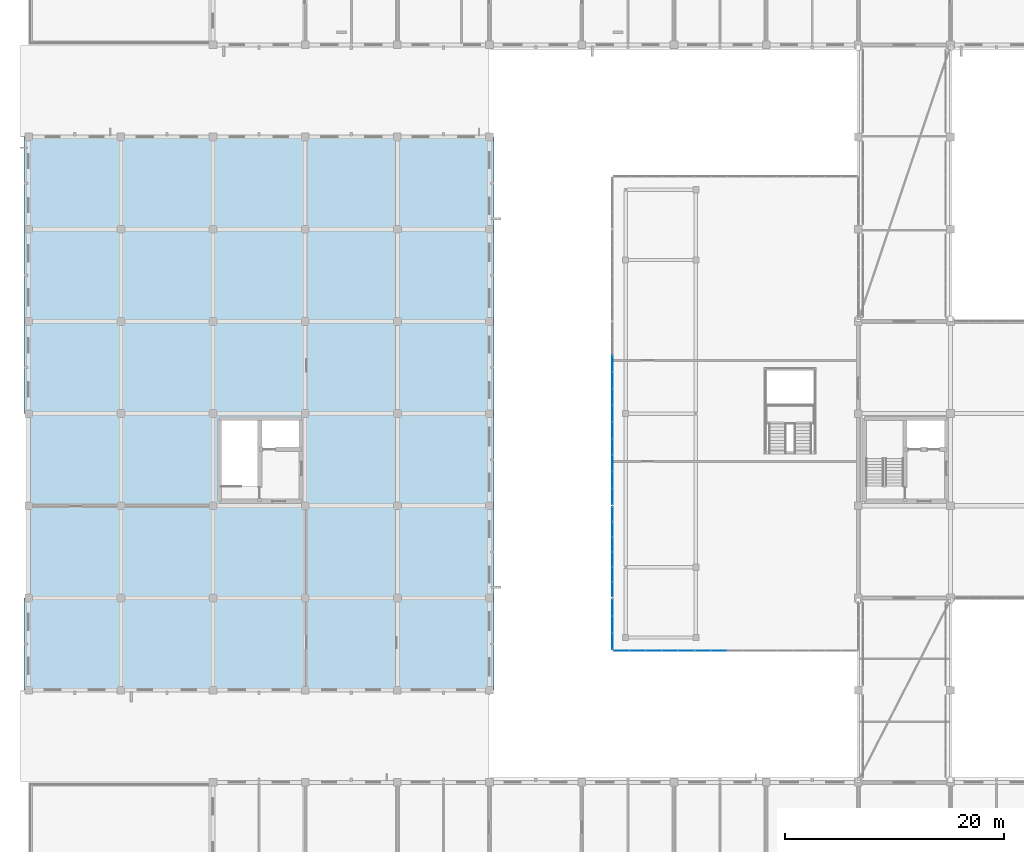
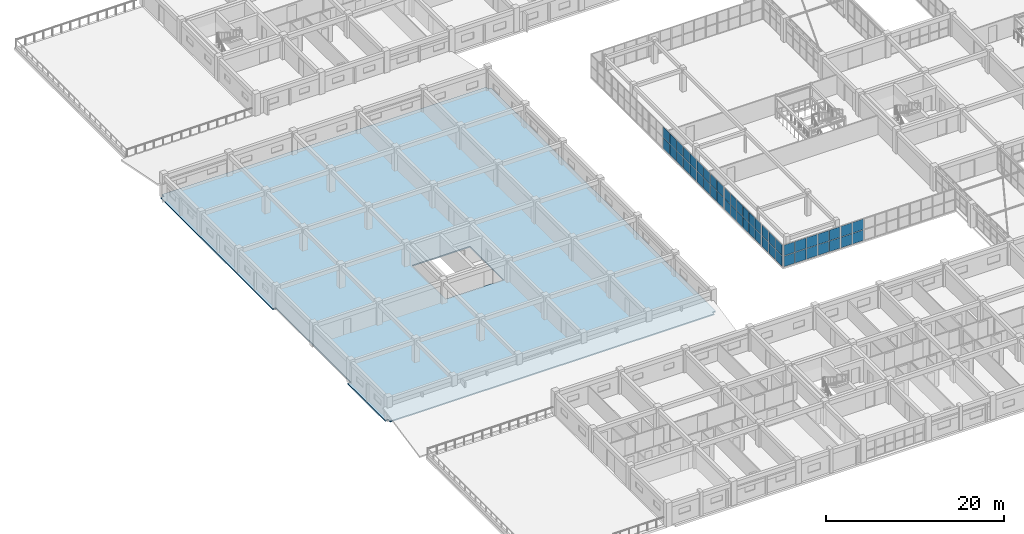
# One storey, part 99 of 148: 50 plates, 1 slab, 5 elements without a shape of their own.
"""IFC4 building model written with IfcOpenShell, lengths in metres."""

from ifc_helpers import new_model, si_unit, direction, frame, origin, origin_2d, place, context, subcontext, project, spatial, polyline, rectangle, outline, extrude, material, layer, layer_set, type_object, element, aggregate, save


model = new_model("IFC4")

# Units and contexts
model_context = context("Model", 3, precision=1e-05, world=origin(), true_north=direction((0.0, 1.0)))
body_context = subcontext(model_context, "Body", "Model", "MODEL_VIEW")
ifc_project = project(units=[si_unit("LENGTHUNIT", "METRE"), si_unit("AREAUNIT", "SQUARE_METRE"), si_unit("VOLUMEUNIT", "CUBIC_METRE"), si_unit("PLANEANGLEUNIT", "RADIAN"), si_unit("MASSUNIT", "GRAM", prefix="KILO")], contexts=[model_context])

# Site, building, storey
site_placement = place(None, origin())
site = spatial("IfcSite", under=ifc_project, at=site_placement, CompositionType="ELEMENT")
building_placement = place(site_placement, origin())
building = spatial("IfcBuilding", under=site, at=building_placement, Name="Trelvath General Hospital", CompositionType="ELEMENT")
storey_placement = place(building_placement, frame((0.0, 0.0, 12.89990234375)))
storey = spatial("IfcBuildingStorey", under=building, at=storey_placement, Name="L03", CompositionType="ELEMENT", Elevation=12.89990234375)

# Curtain wall, plates
ifc_material_1 = material(Name="Anodised aluminium and low-E glass", Category="aluminium")
ifc_layer_1 = layer(ifc_material_1, 0.14990234375)
ifc_layer_set_1 = layer_set([ifc_layer_1], Name="Anodised aluminium and low-E glass")
curtain_wall_type_1 = type_object("IfcCurtainWallType", Name="CW CrystalCube 737 306 15", PredefinedType="USERDEFINED", material=ifc_layer_set_1)
curtain_wall_1_placement = place(storey_placement, origin())
curtain_wall_1 = element("IfcCurtainWall", 1, at=curtain_wall_1_placement, inside=storey, type_object=curtain_wall_type_1, Name="Crystal Cube Curtain Wall CUBE-W-T1 S1 L03", ObjectType="Unitised Glazed Curtain Wall", PredefinedType="USERDEFINED")
ifc_material_2 = material(Name="Low-E laminated glass", Category="glass")
ifc_layer_2 = layer(ifc_material_2, 0.028076171875)
ifc_layer_set_2 = layer_set([ifc_layer_2], Name="Low-E laminated glass")
plate_type = type_object("IfcPlateType", Name="CurtainPanel Glass28", PredefinedType="CURTAIN_PANEL", material=ifc_layer_set_2)
plate_1_placement = place(storey_placement, frame((59.89501953125, 37.199951171875, 0.06005859375), z_axis=(0.0, 0.0, 1.0), x_axis=(-1.0, 0.0, 0.0)))
plate_1 = element("IfcPlate", 2, at=plate_1_placement, type_object=plate_type, Name="CW-230 panel 1.1", PredefinedType="CURTAIN_PANEL", context=body_context, shape_type="SweptSolid", body=[
    extrude(rectangle(XDim=1.38330078125, YDim=0.028076171875, at=origin_2d()), origin(), (0.0, 0.0, 1.0), 1.43994140625),
])
plate_2_placement = place(storey_placement, frame((59.89501953125, 37.199951171875, 1.56005859375), z_axis=(0.0, 0.0, 1.0), x_axis=(-1.0, 0.0, 0.0)))
plate_2 = element("IfcPlate", 3, at=plate_2_placement, type_object=plate_type, Name="CW-230 panel 1.2", PredefinedType="CURTAIN_PANEL", context=body_context, shape_type="SweptSolid", body=[
    extrude(rectangle(XDim=1.38330078125, YDim=0.028076171875, at=origin_2d()), origin(), (0.0, 0.0, 1.0), 1.43994140625),
])
plate_3_placement = place(storey_placement, frame((58.436767578125, 37.199951171875, 0.06005859375), z_axis=(0.0, 0.0, 1.0), x_axis=(-1.0, 0.0, 0.0)))
plate_3 = element("IfcPlate", 4, at=plate_3_placement, type_object=plate_type, Name="CW-230 panel 2.1", PredefinedType="CURTAIN_PANEL", context=body_context, shape_type="SweptSolid", body=[
    extrude(rectangle(XDim=1.413330078125, YDim=0.028076171875, at=origin_2d()), origin(), (0.0, 0.0, 1.0), 1.43994140625),
])
plate_4_placement = place(storey_placement, frame((58.436767578125, 37.199951171875, 1.56005859375), z_axis=(0.0, 0.0, 1.0), x_axis=(-1.0, 0.0, 0.0)))
plate_4 = element("IfcPlate", 5, at=plate_4_placement, type_object=plate_type, Name="CW-230 panel 2.2", PredefinedType="CURTAIN_PANEL", context=body_context, shape_type="SweptSolid", body=[
    extrude(rectangle(XDim=1.413330078125, YDim=0.028076171875, at=origin_2d()), origin(), (0.0, 0.0, 1.0), 1.43994140625),
])
plate_5_placement = place(storey_placement, frame((56.96337890625, 37.199951171875, 0.06005859375), z_axis=(0.0, 0.0, 1.0), x_axis=(-1.0, 0.0, 0.0)))
plate_5 = element("IfcPlate", 6, at=plate_5_placement, type_object=plate_type, Name="CW-230 panel 3.1", PredefinedType="CURTAIN_PANEL", context=body_context, shape_type="SweptSolid", body=[
    extrude(rectangle(XDim=1.413330078125, YDim=0.028076171875, at=origin_2d()), origin(), (0.0, 0.0, 1.0), 1.43994140625),
])
plate_6_placement = place(storey_placement, frame((56.96337890625, 37.199951171875, 1.56005859375), z_axis=(0.0, 0.0, 1.0), x_axis=(-1.0, 0.0, 0.0)))
plate_6 = element("IfcPlate", 7, at=plate_6_placement, type_object=plate_type, Name="CW-230 panel 3.2", PredefinedType="CURTAIN_PANEL", context=body_context, shape_type="SweptSolid", body=[
    extrude(rectangle(XDim=1.413330078125, YDim=0.028076171875, at=origin_2d()), origin(), (0.0, 0.0, 1.0), 1.43994140625),
])
plate_7_placement = place(storey_placement, frame((55.489990234375, 37.199951171875, 0.06005859375), z_axis=(0.0, 0.0, 1.0), x_axis=(-1.0, 0.0, 0.0)))
plate_7 = element("IfcPlate", 8, at=plate_7_placement, type_object=plate_type, Name="CW-230 panel 4.1", PredefinedType="CURTAIN_PANEL", context=body_context, shape_type="SweptSolid", body=[
    extrude(rectangle(XDim=1.413330078125, YDim=0.028076171875, at=origin_2d()), origin(), (0.0, 0.0, 1.0), 1.43994140625),
])
plate_8_placement = place(storey_placement, frame((55.489990234375, 37.199951171875, 1.56005859375), z_axis=(0.0, 0.0, 1.0), x_axis=(-1.0, 0.0, 0.0)))
plate_8 = element("IfcPlate", 9, at=plate_8_placement, type_object=plate_type, Name="CW-230 panel 4.2", PredefinedType="CURTAIN_PANEL", context=body_context, shape_type="SweptSolid", body=[
    extrude(rectangle(XDim=1.413330078125, YDim=0.028076171875, at=origin_2d()), origin(), (0.0, 0.0, 1.0), 1.43994140625),
])
plate_9_placement = place(storey_placement, frame((54.03173828125, 37.199951171875, 0.06005859375), z_axis=(0.0, 0.0, 1.0), x_axis=(-1.0, 0.0, 0.0)))
plate_9 = element("IfcPlate", 10, at=plate_9_placement, type_object=plate_type, Name="CW-230 panel 5.1", PredefinedType="CURTAIN_PANEL", context=body_context, shape_type="SweptSolid", body=[
    extrude(rectangle(XDim=1.38330078125, YDim=0.028076171875, at=origin_2d()), origin(), (0.0, 0.0, 1.0), 1.43994140625),
])
plate_10_placement = place(storey_placement, frame((54.03173828125, 37.199951171875, 1.56005859375), z_axis=(0.0, 0.0, 1.0), x_axis=(-1.0, 0.0, 0.0)))
plate_10 = element("IfcPlate", 11, at=plate_10_placement, type_object=plate_type, Name="CW-230 panel 5.2", PredefinedType="CURTAIN_PANEL", context=body_context, shape_type="SweptSolid", body=[
    extrude(rectangle(XDim=1.38330078125, YDim=0.028076171875, at=origin_2d()), origin(), (0.0, 0.0, 1.0), 1.43994140625),
])
aggregate(curtain_wall_1, [plate_1, plate_2, plate_3, plate_4, plate_5, plate_6, plate_7, plate_8, plate_9, plate_10])

ifc_material_3 = material(Name="Anodised aluminium and low-E glass", Category="aluminium")
ifc_layer_3 = layer(ifc_material_3, 0.14990234375)
ifc_layer_set_3 = layer_set([ifc_layer_3], Name="Anodised aluminium and low-E glass")
curtain_wall_type_2 = type_object("IfcCurtainWallType", Name="CW CrystalCube 743 306 15", PredefinedType="USERDEFINED", material=ifc_layer_set_3)
curtain_wall_2_placement = place(storey_placement, origin())
curtain_wall_2 = element("IfcCurtainWall", 12, at=curtain_wall_2_placement, inside=storey, type_object=curtain_wall_type_2, Name="Crystal Cube Curtain Wall CUBE-W-T1 S2 L03", ObjectType="Unitised Glazed Curtain Wall", PredefinedType="USERDEFINED")
plate_11_placement = place(storey_placement, frame((62.914794921875, 37.199951171875, 0.06005859375), z_axis=(0.0, 0.0, 1.0), x_axis=(-1.0, 0.0, 0.0)))
plate_11 = element("IfcPlate", 13, at=plate_11_placement, type_object=plate_type, Name="CW-231 panel 4.1", PredefinedType="CURTAIN_PANEL", context=body_context, shape_type="SweptSolid", body=[
    extrude(rectangle(XDim=1.42529296875, YDim=0.028076171875, at=origin_2d()), origin(), (0.0, 0.0, 1.0), 1.43994140625),
])
plate_12_placement = place(storey_placement, frame((62.914794921875, 37.199951171875, 1.56005859375), z_axis=(0.0, 0.0, 1.0), x_axis=(-1.0, 0.0, 0.0)))
plate_12 = element("IfcPlate", 14, at=plate_12_placement, type_object=plate_type, Name="CW-231 panel 4.2", PredefinedType="CURTAIN_PANEL", context=body_context, shape_type="SweptSolid", body=[
    extrude(rectangle(XDim=1.42529296875, YDim=0.028076171875, at=origin_2d()), origin(), (0.0, 0.0, 1.0), 1.43994140625),
])
plate_13_placement = place(storey_placement, frame((61.4443359375, 37.199951171875, 0.06005859375), z_axis=(0.0, 0.0, 1.0), x_axis=(-1.0, 0.0, 0.0)))
plate_13 = element("IfcPlate", 15, at=plate_13_placement, type_object=plate_type, Name="CW-231 panel 5.1", PredefinedType="CURTAIN_PANEL", context=body_context, shape_type="SweptSolid", body=[
    extrude(rectangle(XDim=1.395263671875, YDim=0.028076171875, at=origin_2d()), origin(), (0.0, 0.0, 1.0), 1.43994140625),
])
plate_14_placement = place(storey_placement, frame((61.4443359375, 37.199951171875, 1.56005859375), z_axis=(0.0, 0.0, 1.0), x_axis=(-1.0, 0.0, 0.0)))
plate_14 = element("IfcPlate", 16, at=plate_14_placement, type_object=plate_type, Name="CW-231 panel 5.2", PredefinedType="CURTAIN_PANEL", context=body_context, shape_type="SweptSolid", body=[
    extrude(rectangle(XDim=1.395263671875, YDim=0.028076171875, at=origin_2d()), origin(), (0.0, 0.0, 1.0), 1.43994140625),
])
aggregate(curtain_wall_2, [plate_11, plate_12, plate_13, plate_14])

ifc_material_4 = material(Name="Anodised aluminium and low-E glass", Category="aluminium")
ifc_layer_4 = layer(ifc_material_4, 0.14990234375)
ifc_layer_set_4 = layer_set([ifc_layer_4], Name="Anodised aluminium and low-E glass")
curtain_wall_type_3 = type_object("IfcCurtainWallType", Name="CW CrystalCube 464 306 15", PredefinedType="USERDEFINED", material=ifc_layer_set_4)
curtain_wall_3_placement = place(storey_placement, origin())
curtain_wall_3 = element("IfcCurtainWall", 17, at=curtain_wall_3_placement, inside=storey, type_object=curtain_wall_type_3, Name="Crystal Cube Curtain Wall CUBE-W-T1 W1 L03", ObjectType="Unitised Glazed Curtain Wall", PredefinedType="USERDEFINED")
plate_15_placement = place(storey_placement, frame((53.199951171875, 38.068359375, 0.06005859375), z_axis=(0.0, 0.0, 1.0), x_axis=(0.0, 1.0, 0.0)))
plate_15 = element("IfcPlate", 18, at=plate_15_placement, type_object=plate_type, Name="CW-236 panel 1.1", PredefinedType="CURTAIN_PANEL", context=body_context, shape_type="SweptSolid", body=[
    extrude(rectangle(XDim=1.456787109375, YDim=0.028076171875, at=origin_2d()), origin(), (0.0, 0.0, 1.0), 1.43994140625),
])
plate_16_placement = place(storey_placement, frame((53.199951171875, 38.068359375, 1.56005859375), z_axis=(0.0, 0.0, 1.0), x_axis=(0.0, 1.0, 0.0)))
plate_16 = element("IfcPlate", 19, at=plate_16_placement, type_object=plate_type, Name="CW-236 panel 1.2", PredefinedType="CURTAIN_PANEL", context=body_context, shape_type="SweptSolid", body=[
    extrude(rectangle(XDim=1.456787109375, YDim=0.028076171875, at=origin_2d()), origin(), (0.0, 0.0, 1.0), 1.43994140625),
])
plate_17_placement = place(storey_placement, frame((53.199951171875, 39.60009765625, 0.06005859375), z_axis=(0.0, 0.0, 1.0), x_axis=(0.0, 1.0, 0.0)))
plate_17 = element("IfcPlate", 20, at=plate_17_placement, type_object=plate_type, Name="CW-236 panel 2.1", PredefinedType="CURTAIN_PANEL", context=body_context, shape_type="SweptSolid", body=[
    extrude(rectangle(XDim=1.486572265625, YDim=0.028076171875, at=origin_2d()), origin(), (0.0, 0.0, 1.0), 1.43994140625),
])
plate_18_placement = place(storey_placement, frame((53.199951171875, 39.60009765625, 1.56005859375), z_axis=(0.0, 0.0, 1.0), x_axis=(0.0, 1.0, 0.0)))
plate_18 = element("IfcPlate", 21, at=plate_18_placement, type_object=plate_type, Name="CW-236 panel 2.2", PredefinedType="CURTAIN_PANEL", context=body_context, shape_type="SweptSolid", body=[
    extrude(rectangle(XDim=1.486572265625, YDim=0.028076171875, at=origin_2d()), origin(), (0.0, 0.0, 1.0), 1.43994140625),
])
plate_19_placement = place(storey_placement, frame((53.199951171875, 41.131591796875, 0.06005859375), z_axis=(0.0, 0.0, 1.0), x_axis=(0.0, 1.0, 0.0)))
plate_19 = element("IfcPlate", 22, at=plate_19_placement, type_object=plate_type, Name="CW-236 panel 3.1", PredefinedType="CURTAIN_PANEL", context=body_context, shape_type="SweptSolid", body=[
    extrude(rectangle(XDim=1.456787109375, YDim=0.028076171875, at=origin_2d()), origin(), (0.0, 0.0, 1.0), 1.43994140625),
])
plate_20_placement = place(storey_placement, frame((53.199951171875, 41.131591796875, 1.56005859375), z_axis=(0.0, 0.0, 1.0), x_axis=(0.0, 1.0, 0.0)))
plate_20 = element("IfcPlate", 23, at=plate_20_placement, type_object=plate_type, Name="CW-236 panel 3.2", PredefinedType="CURTAIN_PANEL", context=body_context, shape_type="SweptSolid", body=[
    extrude(rectangle(XDim=1.456787109375, YDim=0.028076171875, at=origin_2d()), origin(), (0.0, 0.0, 1.0), 1.43994140625),
])
aggregate(curtain_wall_3, [plate_15, plate_16, plate_17, plate_18, plate_19, plate_20])

ifc_material_5 = material(Name="Anodised aluminium and low-E glass", Category="aluminium")
ifc_layer_5 = layer(ifc_material_5, 0.14990234375)
ifc_layer_set_5 = layer_set([ifc_layer_5], Name="Anodised aluminium and low-E glass")
curtain_wall_type_4 = type_object("IfcCurtainWallType", Name="CW CrystalCube 824 306 15", PredefinedType="USERDEFINED", material=ifc_layer_set_5)
curtain_wall_4_placement = place(storey_placement, origin())
curtain_wall_4 = element("IfcCurtainWall", 24, at=curtain_wall_4_placement, inside=storey, type_object=curtain_wall_type_4, Name="Crystal Cube Curtain Wall CUBE-W-T1 W2 L03", ObjectType="Unitised Glazed Curtain Wall", PredefinedType="USERDEFINED")
plate_21_placement = place(storey_placement, frame((53.199951171875, 42.78173828125, 0.06005859375), z_axis=(0.0, 0.0, 1.0), x_axis=(0.0, 1.0, 0.0)))
plate_21 = element("IfcPlate", 25, at=plate_21_placement, type_object=plate_type, Name="CW-238 panel 1.1", PredefinedType="CURTAIN_PANEL", context=body_context, shape_type="SweptSolid", body=[
    extrude(rectangle(XDim=1.283447265625, YDim=0.028076171875, at=origin_2d()), origin(), (0.0, 0.0, 1.0), 1.43994140625),
])
plate_22_placement = place(storey_placement, frame((53.199951171875, 42.78173828125, 1.56005859375), z_axis=(0.0, 0.0, 1.0), x_axis=(0.0, 1.0, 0.0)))
plate_22 = element("IfcPlate", 26, at=plate_22_placement, type_object=plate_type, Name="CW-238 panel 1.2", PredefinedType="CURTAIN_PANEL", context=body_context, shape_type="SweptSolid", body=[
    extrude(rectangle(XDim=1.283447265625, YDim=0.028076171875, at=origin_2d()), origin(), (0.0, 0.0, 1.0), 1.43994140625),
])
plate_23_placement = place(storey_placement, frame((53.199951171875, 44.139892578125, 0.06005859375), z_axis=(0.0, 0.0, 1.0), x_axis=(0.0, 1.0, 0.0)))
plate_23 = element("IfcPlate", 27, at=plate_23_placement, type_object=plate_type, Name="CW-238 panel 2.1", PredefinedType="CURTAIN_PANEL", context=body_context, shape_type="SweptSolid", body=[
    extrude(rectangle(XDim=1.313232421875, YDim=0.028076171875, at=origin_2d()), origin(), (0.0, 0.0, 1.0), 1.43994140625),
])
plate_24_placement = place(storey_placement, frame((53.199951171875, 44.139892578125, 1.56005859375), z_axis=(0.0, 0.0, 1.0), x_axis=(0.0, 1.0, 0.0)))
plate_24 = element("IfcPlate", 28, at=plate_24_placement, type_object=plate_type, Name="CW-238 panel 2.2", PredefinedType="CURTAIN_PANEL", context=body_context, shape_type="SweptSolid", body=[
    extrude(rectangle(XDim=1.313232421875, YDim=0.028076171875, at=origin_2d()), origin(), (0.0, 0.0, 1.0), 1.43994140625),
])
plate_25_placement = place(storey_placement, frame((53.199951171875, 45.513427734375, 0.06005859375), z_axis=(0.0, 0.0, 1.0), x_axis=(0.0, 1.0, 0.0)))
plate_25 = element("IfcPlate", 29, at=plate_25_placement, type_object=plate_type, Name="CW-238 panel 3.1", PredefinedType="CURTAIN_PANEL", context=body_context, shape_type="SweptSolid", body=[
    extrude(rectangle(XDim=1.313232421875, YDim=0.028076171875, at=origin_2d()), origin(), (0.0, 0.0, 1.0), 1.43994140625),
])
plate_26_placement = place(storey_placement, frame((53.199951171875, 45.513427734375, 1.56005859375), z_axis=(0.0, 0.0, 1.0), x_axis=(0.0, 1.0, 0.0)))
plate_26 = element("IfcPlate", 30, at=plate_26_placement, type_object=plate_type, Name="CW-238 panel 3.2", PredefinedType="CURTAIN_PANEL", context=body_context, shape_type="SweptSolid", body=[
    extrude(rectangle(XDim=1.313232421875, YDim=0.028076171875, at=origin_2d()), origin(), (0.0, 0.0, 1.0), 1.43994140625),
])
plate_27_placement = place(storey_placement, frame((53.199951171875, 46.88671875, 0.06005859375), z_axis=(0.0, 0.0, 1.0), x_axis=(0.0, 1.0, 0.0)))
plate_27 = element("IfcPlate", 31, at=plate_27_placement, type_object=plate_type, Name="CW-238 panel 4.1", PredefinedType="CURTAIN_PANEL", context=body_context, shape_type="SweptSolid", body=[
    extrude(rectangle(XDim=1.313232421875, YDim=0.028076171875, at=origin_2d()), origin(), (0.0, 0.0, 1.0), 1.43994140625),
])
plate_28_placement = place(storey_placement, frame((53.199951171875, 46.88671875, 1.56005859375), z_axis=(0.0, 0.0, 1.0), x_axis=(0.0, 1.0, 0.0)))
plate_28 = element("IfcPlate", 32, at=plate_28_placement, type_object=plate_type, Name="CW-238 panel 4.2", PredefinedType="CURTAIN_PANEL", context=body_context, shape_type="SweptSolid", body=[
    extrude(rectangle(XDim=1.313232421875, YDim=0.028076171875, at=origin_2d()), origin(), (0.0, 0.0, 1.0), 1.43994140625),
])
plate_29_placement = place(storey_placement, frame((53.199951171875, 48.260009765625, 0.06005859375), z_axis=(0.0, 0.0, 1.0), x_axis=(0.0, 1.0, 0.0)))
plate_29 = element("IfcPlate", 33, at=plate_29_placement, type_object=plate_type, Name="CW-238 panel 5.1", PredefinedType="CURTAIN_PANEL", context=body_context, shape_type="SweptSolid", body=[
    extrude(rectangle(XDim=1.313232421875, YDim=0.028076171875, at=origin_2d()), origin(), (0.0, 0.0, 1.0), 1.43994140625),
])
plate_30_placement = place(storey_placement, frame((53.199951171875, 48.260009765625, 1.56005859375), z_axis=(0.0, 0.0, 1.0), x_axis=(0.0, 1.0, 0.0)))
plate_30 = element("IfcPlate", 34, at=plate_30_placement, type_object=plate_type, Name="CW-238 panel 5.2", PredefinedType="CURTAIN_PANEL", context=body_context, shape_type="SweptSolid", body=[
    extrude(rectangle(XDim=1.313232421875, YDim=0.028076171875, at=origin_2d()), origin(), (0.0, 0.0, 1.0), 1.43994140625),
])
plate_31_placement = place(storey_placement, frame((53.199951171875, 49.618408203125, 0.06005859375), z_axis=(0.0, 0.0, 1.0), x_axis=(0.0, 1.0, 0.0)))
plate_31 = element("IfcPlate", 35, at=plate_31_placement, type_object=plate_type, Name="CW-238 panel 6.1", PredefinedType="CURTAIN_PANEL", context=body_context, shape_type="SweptSolid", body=[
    extrude(rectangle(XDim=1.283447265625, YDim=0.028076171875, at=origin_2d()), origin(), (0.0, 0.0, 1.0), 1.43994140625),
])
plate_32_placement = place(storey_placement, frame((53.199951171875, 49.618408203125, 1.56005859375), z_axis=(0.0, 0.0, 1.0), x_axis=(0.0, 1.0, 0.0)))
plate_32 = element("IfcPlate", 36, at=plate_32_placement, type_object=plate_type, Name="CW-238 panel 6.2", PredefinedType="CURTAIN_PANEL", context=body_context, shape_type="SweptSolid", body=[
    extrude(rectangle(XDim=1.283447265625, YDim=0.028076171875, at=origin_2d()), origin(), (0.0, 0.0, 1.0), 1.43994140625),
])
aggregate(curtain_wall_4, [plate_21, plate_22, plate_23, plate_24, plate_25, plate_26, plate_27, plate_28, plate_29, plate_30, plate_31, plate_32])

ifc_material_6 = material(Name="Anodised aluminium and low-E glass", Category="aluminium")
ifc_layer_6 = layer(ifc_material_6, 0.14990234375)
ifc_layer_set_6 = layer_set([ifc_layer_6], Name="Anodised aluminium and low-E glass")
curtain_wall_type_5 = type_object("IfcCurtainWallType", Name="CW CrystalCube 1664 306 15", PredefinedType="USERDEFINED", material=ifc_layer_set_6)
curtain_wall_5_placement = place(storey_placement, origin())
curtain_wall_5 = element("IfcCurtainWall", 37, at=curtain_wall_5_placement, inside=storey, type_object=curtain_wall_type_5, Name="Crystal Cube Curtain Wall CUBE-W-T1 W3 L03", ObjectType="Unitised Glazed Curtain Wall", PredefinedType="USERDEFINED")
plate_33_placement = place(storey_placement, frame((53.199951171875, 51.25146484375, 0.06005859375), z_axis=(0.0, 0.0, 1.0), x_axis=(0.0, 1.0, 0.0)))
plate_33 = element("IfcPlate", 38, at=plate_33_placement, type_object=plate_type, Name="CW-239 panel 1.1", PredefinedType="CURTAIN_PANEL", context=body_context, shape_type="SweptSolid", body=[
    extrude(rectangle(XDim=1.422607421875, YDim=0.028076171875, at=origin_2d()), origin(), (0.0, 0.0, 1.0), 1.43994140625),
])
plate_34_placement = place(storey_placement, frame((53.199951171875, 51.25146484375, 1.56005859375), z_axis=(0.0, 0.0, 1.0), x_axis=(0.0, 1.0, 0.0)))
plate_34 = element("IfcPlate", 39, at=plate_34_placement, type_object=plate_type, Name="CW-239 panel 1.2", PredefinedType="CURTAIN_PANEL", context=body_context, shape_type="SweptSolid", body=[
    extrude(rectangle(XDim=1.422607421875, YDim=0.028076171875, at=origin_2d()), origin(), (0.0, 0.0, 1.0), 1.43994140625),
])
plate_35_placement = place(storey_placement, frame((53.199951171875, 52.7490234375, 0.06005859375), z_axis=(0.0, 0.0, 1.0), x_axis=(0.0, 1.0, 0.0)))
plate_35 = element("IfcPlate", 40, at=plate_35_placement, type_object=plate_type, Name="CW-239 panel 2.1", PredefinedType="CURTAIN_PANEL", context=body_context, shape_type="SweptSolid", body=[
    extrude(rectangle(XDim=1.45263671875, YDim=0.028076171875, at=origin_2d()), origin(), (0.0, 0.0, 1.0), 1.43994140625),
])
plate_36_placement = place(storey_placement, frame((53.199951171875, 52.7490234375, 1.56005859375), z_axis=(0.0, 0.0, 1.0), x_axis=(0.0, 1.0, 0.0)))
plate_36 = element("IfcPlate", 41, at=plate_36_placement, type_object=plate_type, Name="CW-239 panel 2.2", PredefinedType="CURTAIN_PANEL", context=body_context, shape_type="SweptSolid", body=[
    extrude(rectangle(XDim=1.45263671875, YDim=0.028076171875, at=origin_2d()), origin(), (0.0, 0.0, 1.0), 1.43994140625),
])
plate_37_placement = place(storey_placement, frame((53.199951171875, 54.26171875, 0.06005859375), z_axis=(0.0, 0.0, 1.0), x_axis=(0.0, 1.0, 0.0)))
plate_37 = element("IfcPlate", 42, at=plate_37_placement, type_object=plate_type, Name="CW-239 panel 3.1", PredefinedType="CURTAIN_PANEL", context=body_context, shape_type="SweptSolid", body=[
    extrude(rectangle(XDim=1.45263671875, YDim=0.028076171875, at=origin_2d()), origin(), (0.0, 0.0, 1.0), 1.43994140625),
])
plate_38_placement = place(storey_placement, frame((53.199951171875, 54.26171875, 1.56005859375), z_axis=(0.0, 0.0, 1.0), x_axis=(0.0, 1.0, 0.0)))
plate_38 = element("IfcPlate", 43, at=plate_38_placement, type_object=plate_type, Name="CW-239 panel 3.2", PredefinedType="CURTAIN_PANEL", context=body_context, shape_type="SweptSolid", body=[
    extrude(rectangle(XDim=1.45263671875, YDim=0.028076171875, at=origin_2d()), origin(), (0.0, 0.0, 1.0), 1.43994140625),
])
plate_39_placement = place(storey_placement, frame((53.199951171875, 55.774658203125, 0.06005859375), z_axis=(0.0, 0.0, 1.0), x_axis=(0.0, 1.0, 0.0)))
plate_39 = element("IfcPlate", 44, at=plate_39_placement, type_object=plate_type, Name="CW-239 panel 4.1", PredefinedType="CURTAIN_PANEL", context=body_context, shape_type="SweptSolid", body=[
    extrude(rectangle(XDim=1.45263671875, YDim=0.028076171875, at=origin_2d()), origin(), (0.0, 0.0, 1.0), 1.43994140625),
])
plate_40_placement = place(storey_placement, frame((53.199951171875, 55.774658203125, 1.56005859375), z_axis=(0.0, 0.0, 1.0), x_axis=(0.0, 1.0, 0.0)))
plate_40 = element("IfcPlate", 45, at=plate_40_placement, type_object=plate_type, Name="CW-239 panel 4.2", PredefinedType="CURTAIN_PANEL", context=body_context, shape_type="SweptSolid", body=[
    extrude(rectangle(XDim=1.45263671875, YDim=0.028076171875, at=origin_2d()), origin(), (0.0, 0.0, 1.0), 1.43994140625),
])
plate_41_placement = place(storey_placement, frame((53.199951171875, 57.287353515625, 0.06005859375), z_axis=(0.0, 0.0, 1.0), x_axis=(0.0, 1.0, 0.0)))
plate_41 = element("IfcPlate", 46, at=plate_41_placement, type_object=plate_type, Name="CW-239 panel 5.1", PredefinedType="CURTAIN_PANEL", context=body_context, shape_type="SweptSolid", body=[
    extrude(rectangle(XDim=1.45263671875, YDim=0.028076171875, at=origin_2d()), origin(), (0.0, 0.0, 1.0), 1.43994140625),
])
plate_42_placement = place(storey_placement, frame((53.199951171875, 57.287353515625, 1.56005859375), z_axis=(0.0, 0.0, 1.0), x_axis=(0.0, 1.0, 0.0)))
plate_42 = element("IfcPlate", 47, at=plate_42_placement, type_object=plate_type, Name="CW-239 panel 5.2", PredefinedType="CURTAIN_PANEL", context=body_context, shape_type="SweptSolid", body=[
    extrude(rectangle(XDim=1.45263671875, YDim=0.028076171875, at=origin_2d()), origin(), (0.0, 0.0, 1.0), 1.43994140625),
])
plate_43_placement = place(storey_placement, frame((53.199951171875, 58.800048828125, 0.06005859375), z_axis=(0.0, 0.0, 1.0), x_axis=(0.0, 1.0, 0.0)))
plate_43 = element("IfcPlate", 48, at=plate_43_placement, type_object=plate_type, Name="CW-239 panel 6.1", PredefinedType="CURTAIN_PANEL", context=body_context, shape_type="SweptSolid", body=[
    extrude(rectangle(XDim=1.45263671875, YDim=0.028076171875, at=origin_2d()), origin(), (0.0, 0.0, 1.0), 1.43994140625),
])
plate_44_placement = place(storey_placement, frame((53.199951171875, 58.800048828125, 1.56005859375), z_axis=(0.0, 0.0, 1.0), x_axis=(0.0, 1.0, 0.0)))
plate_44 = element("IfcPlate", 49, at=plate_44_placement, type_object=plate_type, Name="CW-239 panel 6.2", PredefinedType="CURTAIN_PANEL", context=body_context, shape_type="SweptSolid", body=[
    extrude(rectangle(XDim=1.45263671875, YDim=0.028076171875, at=origin_2d()), origin(), (0.0, 0.0, 1.0), 1.43994140625),
])
plate_45_placement = place(storey_placement, frame((53.199951171875, 60.312744140625, 0.06005859375), z_axis=(0.0, 0.0, 1.0), x_axis=(0.0, 1.0, 0.0)))
plate_45 = element("IfcPlate", 50, at=plate_45_placement, type_object=plate_type, Name="CW-239 panel 7.1", PredefinedType="CURTAIN_PANEL", context=body_context, shape_type="SweptSolid", body=[
    extrude(rectangle(XDim=1.45263671875, YDim=0.028076171875, at=origin_2d()), origin(), (0.0, 0.0, 1.0), 1.43994140625),
])
plate_46_placement = place(storey_placement, frame((53.199951171875, 60.312744140625, 1.56005859375), z_axis=(0.0, 0.0, 1.0), x_axis=(0.0, 1.0, 0.0)))
plate_46 = element("IfcPlate", 51, at=plate_46_placement, type_object=plate_type, Name="CW-239 panel 7.2", PredefinedType="CURTAIN_PANEL", context=body_context, shape_type="SweptSolid", body=[
    extrude(rectangle(XDim=1.45263671875, YDim=0.028076171875, at=origin_2d()), origin(), (0.0, 0.0, 1.0), 1.43994140625),
])
plate_47_placement = place(storey_placement, frame((53.199951171875, 61.825439453125, 0.06005859375), z_axis=(0.0, 0.0, 1.0), x_axis=(0.0, 1.0, 0.0)))
plate_47 = element("IfcPlate", 52, at=plate_47_placement, type_object=plate_type, Name="CW-239 panel 8.1", PredefinedType="CURTAIN_PANEL", context=body_context, shape_type="SweptSolid", body=[
    extrude(rectangle(XDim=1.45263671875, YDim=0.028076171875, at=origin_2d()), origin(), (0.0, 0.0, 1.0), 1.43994140625),
])
plate_48_placement = place(storey_placement, frame((53.199951171875, 61.825439453125, 1.56005859375), z_axis=(0.0, 0.0, 1.0), x_axis=(0.0, 1.0, 0.0)))
plate_48 = element("IfcPlate", 53, at=plate_48_placement, type_object=plate_type, Name="CW-239 panel 8.2", PredefinedType="CURTAIN_PANEL", context=body_context, shape_type="SweptSolid", body=[
    extrude(rectangle(XDim=1.45263671875, YDim=0.028076171875, at=origin_2d()), origin(), (0.0, 0.0, 1.0), 1.43994140625),
])
plate_49_placement = place(storey_placement, frame((53.199951171875, 63.338134765625, 0.06005859375), z_axis=(0.0, 0.0, 1.0), x_axis=(0.0, 1.0, 0.0)))
plate_49 = element("IfcPlate", 54, at=plate_49_placement, type_object=plate_type, Name="CW-239 panel 9.1", PredefinedType="CURTAIN_PANEL", context=body_context, shape_type="SweptSolid", body=[
    extrude(rectangle(XDim=1.45263671875, YDim=0.028076171875, at=origin_2d()), origin(), (0.0, 0.0, 1.0), 1.43994140625),
])
plate_50_placement = place(storey_placement, frame((53.199951171875, 63.338134765625, 1.56005859375), z_axis=(0.0, 0.0, 1.0), x_axis=(0.0, 1.0, 0.0)))
plate_50 = element("IfcPlate", 55, at=plate_50_placement, type_object=plate_type, Name="CW-239 panel 9.2", PredefinedType="CURTAIN_PANEL", context=body_context, shape_type="SweptSolid", body=[
    extrude(rectangle(XDim=1.45263671875, YDim=0.028076171875, at=origin_2d()), origin(), (0.0, 0.0, 1.0), 1.43994140625),
])
aggregate(curtain_wall_5, [plate_33, plate_34, plate_35, plate_36, plate_37, plate_38, plate_39, plate_40, plate_41, plate_42, plate_43, plate_44, plate_45, plate_46, plate_47, plate_48, plate_49, plate_50])

# Slab
ifc_material_7 = material(Name="Concrete C35/45", Category="concrete")
ifc_layer_7 = layer(ifc_material_7, 0.159912109375)
ifc_layer_set_7 = layer_set([ifc_layer_7], Name="Concrete C35/45")
slab_type = type_object("IfcSlabType", Name="InterstitialDeck 160", PredefinedType="FLOOR", material=ifc_layer_set_7)
slab_placement = place(storey_placement, frame((0.0, 0.0, -0.159912109375)))
element("IfcSlab", 56, at=slab_placement, inside=storey, type_object=slab_type, Name="Floor Slab SL-L03-V3-O1", PredefinedType="FLOOR", context=body_context, shape_type="SweptSolid", body=[
    extrude(outline(polyline([(0.0, 58.800048828125), (-0.419921875, 58.800048828125), (-0.419921875, 84.0), (0.0, 84.0), (0.0, 84.419921875), (42.0, 84.419921875), (42.0, 84.0), (42.419921875, 84.0), (42.419921875, 33.60009765625), (42.0, 33.60009765625), (42.0, 33.179931640625), (0.0, 33.179931640625), (0.0, 33.60009765625), (-0.419921875, 33.60009765625), (-0.419921875, 42.0), (0.0, 42.0), (0.0, 58.800048828125)]), holes=[polyline([(17.35009765625, 50.800048828125), (24.85009765625, 50.800048828125), (24.85009765625, 58.35009765625), (17.35009765625, 58.35009765625), (17.35009765625, 50.800048828125)])]), origin(), (0.0, 0.0, 1.0), 0.159912109375),
])

save(model, "model.ifc")
